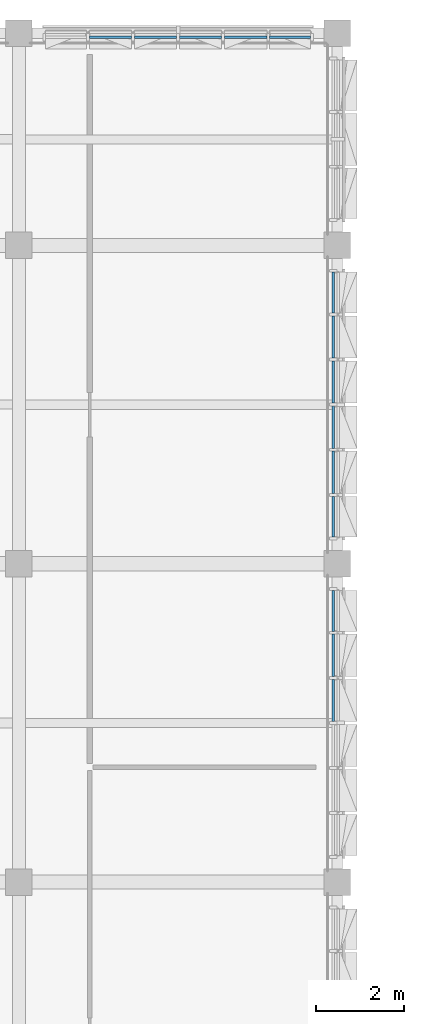
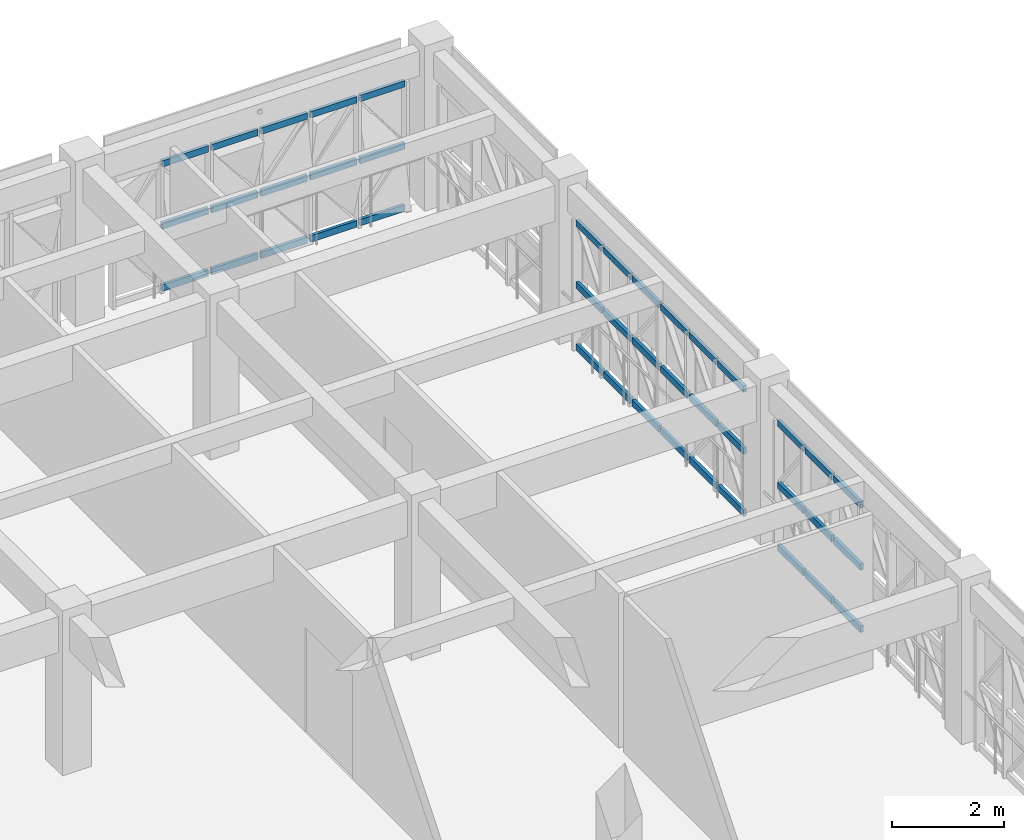
# One storey, part 31 of 99: 42 members, 3 elements without a shape of their own.
"""IFC4 building model written with IfcOpenShell, lengths in metres."""

import ifcopenshell
import ifcopenshell.guid

model = None  # the IFC model being written
_history = None  # IfcOwnerHistory: only IFC2X3 demands one
_inside = {}  # id of a spatial element -> (the spatial element, [elements in it])
_under = {}  # id of a project, library or spatial element -> (it, [spatial elements below it])
_declared = {}  # id of a project -> (the project, [libraries it declares])
_typed = {}  # id of a type object -> (the type object, [elements of that type])
_made_of = {}  # id of a material, layer set ... -> (it, [elements and type objects made of it])


def new_model(schema):
    """Start an empty IFC model of exactly this schema.

    Asked for "IFC4X3", IfcOpenShell would pick the latest addendum, in which some entities
    have other attributes; the version numbers below select the first issue.
    IFC2X3 requires an IfcOwnerHistory on every rooted entity: one is made here for all.
    """
    global model, _history
    if schema == "IFC4X3":
        model = ifcopenshell.file(schema_version=(4, 3, 0, 0))
    else:
        model = ifcopenshell.file(schema=schema)
    _inside.clear()
    _under.clear()
    _declared.clear()
    _typed.clear()
    _made_of.clear()
    _history = None
    if model.schema == "IFC2X3":
        org = make("IfcOrganization", Name="unknown")
        user = make(
            "IfcPersonAndOrganization",
            ThePerson=make("IfcPerson", FamilyName="unknown"),
            TheOrganization=org,
        )
        app = make(
            "IfcApplication",
            ApplicationDeveloper=org,
            Version="unknown",
            ApplicationFullName="unknown",
            ApplicationIdentifier="unknown",
        )
        _history = make(
            "IfcOwnerHistory",
            OwningUser=user,
            OwningApplication=app,
            ChangeAction="ADDED",
            CreationDate=0,
        )
    return model


def make(cls, **values):
    """One entity of the class cls with the attributes given. An attribute that is None is left unset."""
    return model.create_entity(
        cls, **{name: value for name, value in values.items() if value is not None}
    )


def rooted(cls, **values):
    """An entity with a GlobalId (a new one), such as an element, a storey or a relation."""
    return make(cls, GlobalId=ifcopenshell.guid.new(), OwnerHistory=_history, **values)


def si_unit(unit_type, name, prefix=None):
    """IfcSIUnit, for example si_unit("LENGTHUNIT", "METRE", prefix="MILLI")."""
    return make("IfcSIUnit", UnitType=unit_type, Prefix=prefix, Name=name)


def assignment(units):
    """IfcUnitAssignment: the units of a project."""
    return None if units is None else make("IfcUnitAssignment", Units=units)


def point(xyz):
    """IfcCartesianPoint."""
    return None if xyz is None else make("IfcCartesianPoint", Coordinates=xyz)


def direction(xyz):
    """IfcDirection."""
    return None if xyz is None else make("IfcDirection", DirectionRatios=xyz)


def frame(location, z_axis=None, x_axis=None):
    """IfcAxis2Placement3D, a coordinate frame: its origin and axes. An axis left out is left unset."""
    return make(
        "IfcAxis2Placement3D",
        Location=point(location),
        Axis=direction(z_axis),
        RefDirection=direction(x_axis),
    )


def frame_2d(location, x_axis=None):
    """IfcAxis2Placement2D, a coordinate frame in the plane: its origin and x axis."""
    return make(
        "IfcAxis2Placement2D", Location=point(location), RefDirection=direction(x_axis)
    )


def origin():
    """The frame at (0, 0, 0) with its axes left unset."""
    return frame((0.0, 0.0, 0.0))


def origin_2d():
    """The frame at (0, 0) in the plane with its x axis left unset."""
    return frame_2d((0.0, 0.0))


def place(relative_to, where):
    """IfcLocalPlacement: puts the frame where relative to a parent placement (None: the world)."""
    return make(
        "IfcLocalPlacement", PlacementRelTo=relative_to, RelativePlacement=where
    )


def context(
    kind, dimensions, precision=None, world=None, true_north=None, identifier=None
):
    """IfcGeometricRepresentationContext, for example the 3D "Model" context."""
    return make(
        "IfcGeometricRepresentationContext",
        ContextIdentifier=identifier,
        ContextType=kind,
        CoordinateSpaceDimension=dimensions,
        Precision=precision,
        WorldCoordinateSystem=world,
        TrueNorth=true_north,
    )


def subcontext(parent, identifier, kind, view, scale=None):
    """IfcGeometricRepresentationSubContext, for example "Body" below "Model"."""
    return make(
        "IfcGeometricRepresentationSubContext",
        ContextIdentifier=identifier,
        ContextType=kind,
        ParentContext=parent,
        TargetScale=scale,
        TargetView=view,
    )


def project(units=None, contexts=None):
    """IfcProject with its units and contexts."""
    return rooted(
        "IfcProject",
        Name="project",
        RepresentationContexts=contexts,
        UnitsInContext=assignment(units),
    )


def spatial(cls, under=None, at=None, **own):
    """A site, building, storey or space (cls), placed at a placement, below another one or the project."""
    s = rooted(cls, ObjectPlacement=at, **own)
    if under is not None:
        _under.setdefault(under.id(), (under, []))[1].append(s)
    return s


def profile(cls, at=None, kind="AREA", **sizes):
    """A parametric profile (cls). Its sizes go by their IFC names, for example OverallWidth=200.0."""
    return make(cls, ProfileType=kind, Position=at, **sizes)


def rectangle(**sizes):
    """IfcRectangleProfileDef."""
    return profile("IfcRectangleProfileDef", **sizes)


def extrude(swept, where, along, depth):
    """IfcExtrudedAreaSolid: the profile swept, set in the frame where, extruded along a direction by depth."""
    return make(
        "IfcExtrudedAreaSolid",
        SweptArea=swept,
        Position=where,
        ExtrudedDirection=direction(along),
        Depth=depth,
    )


def shape(context_of_items, identifier, shape_type, items):
    """IfcShapeRepresentation: the items that make up one representation, for example the "Body"."""
    return make(
        "IfcShapeRepresentation",
        ContextOfItems=context_of_items,
        RepresentationIdentifier=identifier,
        RepresentationType=shape_type,
        Items=items,
    )


def material(Name=None, Category=None):
    """IfcMaterial."""
    return make("IfcMaterial", Name=Name, Category=Category)


def material_profile(
    of_material, cross_section, Name=None, Category=None, Priority=None
):
    """IfcMaterialProfile: a cross section and its material."""
    return make(
        "IfcMaterialProfile",
        Name=Name,
        Material=of_material,
        Profile=cross_section,
        Priority=Priority,
        Category=Category,
    )


def profile_set(profiles, Name=None, composite=None):
    """IfcMaterialProfileSet."""
    return make(
        "IfcMaterialProfileSet",
        Name=Name,
        MaterialProfiles=profiles,
        CompositeProfile=composite,
    )


def made_of(thing, what):
    """Note that an element or type object is made of a material, layer set ...; save() writes the relation."""
    if what is not None:
        _made_of.setdefault(what.id(), (what, []))[1].append(thing)
    return thing


def type_object(cls, material=None, **own):
    """A type object (cls), such as IfcWallType, which elements share."""
    return made_of(rooted(cls, **own), material)


def element(
    cls,
    number,
    at=None,
    inside=None,
    cuts=None,
    type_object=None,
    material=None,
    context=None,
    identifier="Body",
    shape_type=None,
    held_by="IfcProductDefinitionShape",
    body=None,
    shapes=None,
    **own,
):
    """One element of the class cls, such as IfcWall. Its Tag is "e" and its number.

    at: its placement. inside: the storey or other place that contains it. cuts: it is an
    opening in that element (IfcRelVoidsElement). A single representation is given by context,
    identifier, shape_type and body (its items); several are given by shapes. held_by: the class
    of the entity that holds the representations. save() writes the other relations.
    """
    e = rooted(cls, Tag="e%d" % number, ObjectPlacement=at, **own)
    if body is not None:
        shapes = [shape(context, identifier, shape_type, body)]
    if shapes is not None:
        e.Representation = make(held_by, Representations=shapes)
    if inside is not None:
        _inside.setdefault(inside.id(), (inside, []))[1].append(e)
    if cuts is not None:
        rooted(
            "IfcRelVoidsElement", RelatingBuildingElement=cuts, RelatedOpeningElement=e
        )
    if type_object is not None:
        _typed.setdefault(type_object.id(), (type_object, []))[1].append(e)
    return made_of(e, material)


def aggregate(whole, parts):
    """IfcRelAggregates: a whole, such as a stair, and the parts it consists of."""
    return rooted("IfcRelAggregates", RelatingObject=whole, RelatedObjects=parts)


def save(model, path):
    """Write the relations noted so far, then the file.

    IfcRelAggregates (storeys below a building ...), IfcRelContainedInSpatialStructure (elements
    in a storey), IfcRelDefinesByType, IfcRelAssociatesMaterial and IfcRelDeclares: one each for
    every whole, place, type object, material and project.
    """
    for whole, parts in _under.values():
        aggregate(whole, parts)
    for where, things in _inside.values():
        rooted(
            "IfcRelContainedInSpatialStructure",
            RelatedElements=things,
            RelatingStructure=where,
        )
    for kind, things in _typed.values():
        rooted("IfcRelDefinesByType", RelatedObjects=things, RelatingType=kind)
    for what, things in _made_of.values():
        rooted("IfcRelAssociatesMaterial", RelatedObjects=things, RelatingMaterial=what)
    for by, libraries in _declared.values():
        rooted("IfcRelDeclares", RelatingContext=by, RelatedDefinitions=libraries)
    model.write(path)


model = new_model("IFC4")

# Units and contexts
model_context = context("Model", 3, precision=1e-05, world=origin(), true_north=direction((0.0, 1.0)))
body_context = subcontext(model_context, "Body", "Model", "MODEL_VIEW")
ifc_project = project(units=[si_unit("LENGTHUNIT", "METRE"), si_unit("AREAUNIT", "SQUARE_METRE"), si_unit("VOLUMEUNIT", "CUBIC_METRE"), si_unit("PLANEANGLEUNIT", "RADIAN"), si_unit("MASSUNIT", "GRAM", prefix="KILO")], contexts=[model_context])

# Site, building, storey
site_placement = place(None, origin())
site = spatial("IfcSite", under=ifc_project, at=site_placement, CompositionType="ELEMENT")
building_placement = place(site_placement, origin())
building = spatial("IfcBuilding", under=site, at=building_placement, Name="Alvorim Cloister Faculty of Sciences", CompositionType="ELEMENT")
storey_placement = place(building_placement, frame((0.0, 0.0, 12.14990234375)))
storey = spatial("IfcBuildingStorey", under=building, at=storey_placement, Name="L03", CompositionType="ELEMENT", Elevation=12.14990234375)

# Curtain wall, members
ifc_material_1 = material(Name="Aluminium and Low-E Glass Curtain Wall", Category="aluminium")
curtain_wall_type = type_object("IfcCurtainWallType", Name="CW-TRI-6120x2850", PredefinedType="USERDEFINED", material=ifc_material_1)
curtain_wall_1_placement = place(storey_placement, origin())
curtain_wall_1 = element("IfcCurtainWall", 1, at=curtain_wall_1_placement, inside=storey, type_object=curtain_wall_type, Name="L03 Diagonal Cassette Curtain Wall CW-0116", ObjectType="UNITISED CURTAIN WALL", PredefinedType="USERDEFINED")
ifc_material_2 = material(Name="Aluminium Alloy 6063-T6", Category="aluminium")
ifc_material_profile = material_profile(ifc_material_2, rectangle(XDim=0.06494140625, YDim=0.139892578125, at=origin_2d()), Name="ALU-TRN-65x140")
ifc_profile_set = profile_set([ifc_material_profile], Name="Aluminium Alloy 6063-T6")
member_type = type_object("IfcMemberType", Name="CW-TRN-65x140", PredefinedType="USERDEFINED", material=ifc_profile_set)
member_1_placement = place(storey_placement, frame((15.992431640625, 111.510009765625, 0.070068359375), z_axis=(1.0, 0.0, 0.0), x_axis=(0.0, 1.0, 0.0)))
member_1 = element("IfcMember", 2, at=member_1_placement, type_object=member_type, Name="CW-0116 Transom 2.1", ObjectType="TRANSOM", PredefinedType="USERDEFINED", context=body_context, shape_type="SweptSolid", body=[
    extrude(rectangle(XDim=0.06494140625, YDim=0.139892578125, at=origin_2d()), origin(), (0.0, 0.0, 1.0), 0.955078125),
])
member_2_placement = place(storey_placement, frame((15.992431640625, 111.510009765625, 1.425048828125), z_axis=(1.0, 0.0, 0.0), x_axis=(0.0, 1.0, 0.0)))
member_2 = element("IfcMember", 3, at=member_2_placement, type_object=member_type, Name="CW-0116 Transom 2.2", ObjectType="TRANSOM", PredefinedType="USERDEFINED", context=body_context, shape_type="SweptSolid", body=[
    extrude(rectangle(XDim=0.06494140625, YDim=0.139892578125, at=origin_2d()), origin(), (0.0, 0.0, 1.0), 0.955078125),
])
member_3_placement = place(storey_placement, frame((15.992431640625, 111.510009765625, 2.780029296875), z_axis=(1.0, 0.0, 0.0), x_axis=(0.0, 1.0, 0.0)))
member_3 = element("IfcMember", 4, at=member_3_placement, type_object=member_type, Name="CW-0116 Transom 2.3", ObjectType="TRANSOM", PredefinedType="USERDEFINED", context=body_context, shape_type="SweptSolid", body=[
    extrude(rectangle(XDim=0.06494140625, YDim=0.139892578125, at=origin_2d()), origin(), (0.0, 0.0, 1.0), 0.955078125),
])
member_4_placement = place(storey_placement, frame((17.012451171875, 111.510009765625, 0.070068359375), z_axis=(1.0, 0.0, 0.0), x_axis=(0.0, 1.0, 0.0)))
member_4 = element("IfcMember", 5, at=member_4_placement, type_object=member_type, Name="CW-0116 Transom 3.1", ObjectType="TRANSOM", PredefinedType="USERDEFINED", context=body_context, shape_type="SweptSolid", body=[
    extrude(rectangle(XDim=0.06494140625, YDim=0.139892578125, at=origin_2d()), origin(), (0.0, 0.0, 1.0), 0.955078125),
])
member_5_placement = place(storey_placement, frame((17.012451171875, 111.510009765625, 1.425048828125), z_axis=(1.0, 0.0, 0.0), x_axis=(0.0, 1.0, 0.0)))
member_5 = element("IfcMember", 6, at=member_5_placement, type_object=member_type, Name="CW-0116 Transom 3.2", ObjectType="TRANSOM", PredefinedType="USERDEFINED", context=body_context, shape_type="SweptSolid", body=[
    extrude(rectangle(XDim=0.06494140625, YDim=0.139892578125, at=origin_2d()), origin(), (0.0, 0.0, 1.0), 0.955078125),
])
member_6_placement = place(storey_placement, frame((17.012451171875, 111.510009765625, 2.780029296875), z_axis=(1.0, 0.0, 0.0), x_axis=(0.0, 1.0, 0.0)))
member_6 = element("IfcMember", 7, at=member_6_placement, type_object=member_type, Name="CW-0116 Transom 3.3", ObjectType="TRANSOM", PredefinedType="USERDEFINED", context=body_context, shape_type="SweptSolid", body=[
    extrude(rectangle(XDim=0.06494140625, YDim=0.139892578125, at=origin_2d()), origin(), (0.0, 0.0, 1.0), 0.955078125),
])
member_7_placement = place(storey_placement, frame((18.032470703125, 111.510009765625, 0.070068359375), z_axis=(1.0, 0.0, 0.0), x_axis=(0.0, 1.0, 0.0)))
member_7 = element("IfcMember", 8, at=member_7_placement, type_object=member_type, Name="CW-0116 Transom 4.1", ObjectType="TRANSOM", PredefinedType="USERDEFINED", context=body_context, shape_type="SweptSolid", body=[
    extrude(rectangle(XDim=0.06494140625, YDim=0.139892578125, at=origin_2d()), origin(), (0.0, 0.0, 1.0), 0.955078125),
])
member_8_placement = place(storey_placement, frame((18.032470703125, 111.510009765625, 1.425048828125), z_axis=(1.0, 0.0, 0.0), x_axis=(0.0, 1.0, 0.0)))
member_8 = element("IfcMember", 9, at=member_8_placement, type_object=member_type, Name="CW-0116 Transom 4.2", ObjectType="TRANSOM", PredefinedType="USERDEFINED", context=body_context, shape_type="SweptSolid", body=[
    extrude(rectangle(XDim=0.06494140625, YDim=0.139892578125, at=origin_2d()), origin(), (0.0, 0.0, 1.0), 0.955078125),
])
member_9_placement = place(storey_placement, frame((18.032470703125, 111.510009765625, 2.780029296875), z_axis=(1.0, 0.0, 0.0), x_axis=(0.0, 1.0, 0.0)))
member_9 = element("IfcMember", 10, at=member_9_placement, type_object=member_type, Name="CW-0116 Transom 4.3", ObjectType="TRANSOM", PredefinedType="USERDEFINED", context=body_context, shape_type="SweptSolid", body=[
    extrude(rectangle(XDim=0.06494140625, YDim=0.139892578125, at=origin_2d()), origin(), (0.0, 0.0, 1.0), 0.955078125),
])
member_10_placement = place(storey_placement, frame((19.052490234375, 111.510009765625, 0.070068359375), z_axis=(1.0, 0.0, 0.0), x_axis=(0.0, 1.0, 0.0)))
member_10 = element("IfcMember", 11, at=member_10_placement, type_object=member_type, Name="CW-0116 Transom 5.1", ObjectType="TRANSOM", PredefinedType="USERDEFINED", context=body_context, shape_type="SweptSolid", body=[
    extrude(rectangle(XDim=0.06494140625, YDim=0.139892578125, at=origin_2d()), origin(), (0.0, 0.0, 1.0), 0.955078125),
])
member_11_placement = place(storey_placement, frame((19.052490234375, 111.510009765625, 1.425048828125), z_axis=(1.0, 0.0, 0.0), x_axis=(0.0, 1.0, 0.0)))
member_11 = element("IfcMember", 12, at=member_11_placement, type_object=member_type, Name="CW-0116 Transom 5.2", ObjectType="TRANSOM", PredefinedType="USERDEFINED", context=body_context, shape_type="SweptSolid", body=[
    extrude(rectangle(XDim=0.06494140625, YDim=0.139892578125, at=origin_2d()), origin(), (0.0, 0.0, 1.0), 0.955078125),
])
member_12_placement = place(storey_placement, frame((19.052490234375, 111.510009765625, 2.780029296875), z_axis=(1.0, 0.0, 0.0), x_axis=(0.0, 1.0, 0.0)))
member_12 = element("IfcMember", 13, at=member_12_placement, type_object=member_type, Name="CW-0116 Transom 5.3", ObjectType="TRANSOM", PredefinedType="USERDEFINED", context=body_context, shape_type="SweptSolid", body=[
    extrude(rectangle(XDim=0.06494140625, YDim=0.139892578125, at=origin_2d()), origin(), (0.0, 0.0, 1.0), 0.955078125),
])
member_13_placement = place(storey_placement, frame((20.072509765625, 111.510009765625, 0.070068359375), z_axis=(1.0, 0.0, 0.0), x_axis=(0.0, 1.0, 0.0)))
member_13 = element("IfcMember", 14, at=member_13_placement, type_object=member_type, Name="CW-0116 Transom 6.1", ObjectType="TRANSOM", PredefinedType="USERDEFINED", context=body_context, shape_type="SweptSolid", body=[
    extrude(rectangle(XDim=0.06494140625, YDim=0.139892578125, at=origin_2d()), origin(), (0.0, 0.0, 1.0), 0.922607421875),
])
member_14_placement = place(storey_placement, frame((20.072509765625, 111.510009765625, 1.425048828125), z_axis=(1.0, 0.0, 0.0), x_axis=(0.0, 1.0, 0.0)))
member_14 = element("IfcMember", 15, at=member_14_placement, type_object=member_type, Name="CW-0116 Transom 6.2", ObjectType="TRANSOM", PredefinedType="USERDEFINED", context=body_context, shape_type="SweptSolid", body=[
    extrude(rectangle(XDim=0.06494140625, YDim=0.139892578125, at=origin_2d()), origin(), (0.0, 0.0, 1.0), 0.922607421875),
])
member_15_placement = place(storey_placement, frame((20.072509765625, 111.510009765625, 2.780029296875), z_axis=(1.0, 0.0, 0.0), x_axis=(0.0, 1.0, 0.0)))
member_15 = element("IfcMember", 16, at=member_15_placement, type_object=member_type, Name="CW-0116 Transom 6.3", ObjectType="TRANSOM", PredefinedType="USERDEFINED", context=body_context, shape_type="SweptSolid", body=[
    extrude(rectangle(XDim=0.06494140625, YDim=0.139892578125, at=origin_2d()), origin(), (0.0, 0.0, 1.0), 0.922607421875),
])
aggregate(curtain_wall_1, [member_1, member_2, member_3, member_4, member_5, member_6, member_7, member_8, member_9, member_10, member_11, member_12, member_13, member_14, member_15])

curtain_wall_2_placement = place(storey_placement, origin())
curtain_wall_2 = element("IfcCurtainWall", 17, at=curtain_wall_2_placement, inside=storey, type_object=curtain_wall_type, Name="L03 Diagonal Cassette Curtain Wall CW-0118", ObjectType="UNITISED CURTAIN WALL", PredefinedType="USERDEFINED")
member_16_placement = place(storey_placement, frame((21.510009765625, 100.205078125, 0.070068359375), z_axis=(0.0, 1.0, 0.0), x_axis=(-1.0, 0.0, 0.0)))
member_16 = element("IfcMember", 18, at=member_16_placement, type_object=member_type, Name="CW-0118 Transom 1.1", ObjectType="TRANSOM", PredefinedType="USERDEFINED", context=body_context, shape_type="SweptSolid", body=[
    extrude(rectangle(XDim=0.06494140625, YDim=0.139892578125, at=origin_2d()), origin(), (0.0, 0.0, 1.0), 0.92236328125),
])
member_17_placement = place(storey_placement, frame((21.510009765625, 100.205078125, 1.425048828125), z_axis=(0.0, 1.0, 0.0), x_axis=(-1.0, 0.0, 0.0)))
member_17 = element("IfcMember", 19, at=member_17_placement, type_object=member_type, Name="CW-0118 Transom 1.2", ObjectType="TRANSOM", PredefinedType="USERDEFINED", context=body_context, shape_type="SweptSolid", body=[
    extrude(rectangle(XDim=0.06494140625, YDim=0.139892578125, at=origin_2d()), origin(), (0.0, 0.0, 1.0), 0.92236328125),
])
member_18_placement = place(storey_placement, frame((21.510009765625, 100.205078125, 2.780029296875), z_axis=(0.0, 1.0, 0.0), x_axis=(-1.0, 0.0, 0.0)))
member_18 = element("IfcMember", 20, at=member_18_placement, type_object=member_type, Name="CW-0118 Transom 1.3", ObjectType="TRANSOM", PredefinedType="USERDEFINED", context=body_context, shape_type="SweptSolid", body=[
    extrude(rectangle(XDim=0.06494140625, YDim=0.139892578125, at=origin_2d()), origin(), (0.0, 0.0, 1.0), 0.92236328125),
])
member_19_placement = place(storey_placement, frame((21.510009765625, 101.1923828125, 0.070068359375), z_axis=(0.0, 1.0, 0.0), x_axis=(-1.0, 0.0, 0.0)))
member_19 = element("IfcMember", 21, at=member_19_placement, type_object=member_type, Name="CW-0118 Transom 2.1", ObjectType="TRANSOM", PredefinedType="USERDEFINED", context=body_context, shape_type="SweptSolid", body=[
    extrude(rectangle(XDim=0.06494140625, YDim=0.139892578125, at=origin_2d()), origin(), (0.0, 0.0, 1.0), 0.955078125),
])
member_20_placement = place(storey_placement, frame((21.510009765625, 101.1923828125, 1.425048828125), z_axis=(0.0, 1.0, 0.0), x_axis=(-1.0, 0.0, 0.0)))
member_20 = element("IfcMember", 22, at=member_20_placement, type_object=member_type, Name="CW-0118 Transom 2.2", ObjectType="TRANSOM", PredefinedType="USERDEFINED", context=body_context, shape_type="SweptSolid", body=[
    extrude(rectangle(XDim=0.06494140625, YDim=0.139892578125, at=origin_2d()), origin(), (0.0, 0.0, 1.0), 0.955078125),
])
member_21_placement = place(storey_placement, frame((21.510009765625, 101.1923828125, 2.780029296875), z_axis=(0.0, 1.0, 0.0), x_axis=(-1.0, 0.0, 0.0)))
member_21 = element("IfcMember", 23, at=member_21_placement, type_object=member_type, Name="CW-0118 Transom 2.3", ObjectType="TRANSOM", PredefinedType="USERDEFINED", context=body_context, shape_type="SweptSolid", body=[
    extrude(rectangle(XDim=0.06494140625, YDim=0.139892578125, at=origin_2d()), origin(), (0.0, 0.0, 1.0), 0.955078125),
])
member_22_placement = place(storey_placement, frame((21.510009765625, 102.21240234375, 0.070068359375), z_axis=(0.0, 1.0, 0.0), x_axis=(-1.0, 0.0, 0.0)))
member_22 = element("IfcMember", 24, at=member_22_placement, type_object=member_type, Name="CW-0118 Transom 3.1", ObjectType="TRANSOM", PredefinedType="USERDEFINED", context=body_context, shape_type="SweptSolid", body=[
    extrude(rectangle(XDim=0.06494140625, YDim=0.139892578125, at=origin_2d()), origin(), (0.0, 0.0, 1.0), 0.955078125),
])
member_23_placement = place(storey_placement, frame((21.510009765625, 102.21240234375, 1.425048828125), z_axis=(0.0, 1.0, 0.0), x_axis=(-1.0, 0.0, 0.0)))
member_23 = element("IfcMember", 25, at=member_23_placement, type_object=member_type, Name="CW-0118 Transom 3.2", ObjectType="TRANSOM", PredefinedType="USERDEFINED", context=body_context, shape_type="SweptSolid", body=[
    extrude(rectangle(XDim=0.06494140625, YDim=0.139892578125, at=origin_2d()), origin(), (0.0, 0.0, 1.0), 0.955078125),
])
member_24_placement = place(storey_placement, frame((21.510009765625, 102.21240234375, 2.780029296875), z_axis=(0.0, 1.0, 0.0), x_axis=(-1.0, 0.0, 0.0)))
member_24 = element("IfcMember", 26, at=member_24_placement, type_object=member_type, Name="CW-0118 Transom 3.3", ObjectType="TRANSOM", PredefinedType="USERDEFINED", context=body_context, shape_type="SweptSolid", body=[
    extrude(rectangle(XDim=0.06494140625, YDim=0.139892578125, at=origin_2d()), origin(), (0.0, 0.0, 1.0), 0.955078125),
])
member_25_placement = place(storey_placement, frame((21.510009765625, 103.232421875, 0.070068359375), z_axis=(0.0, 1.0, 0.0), x_axis=(-1.0, 0.0, 0.0)))
member_25 = element("IfcMember", 27, at=member_25_placement, type_object=member_type, Name="CW-0118 Transom 4.1", ObjectType="TRANSOM", PredefinedType="USERDEFINED", context=body_context, shape_type="SweptSolid", body=[
    extrude(rectangle(XDim=0.06494140625, YDim=0.139892578125, at=origin_2d()), origin(), (0.0, 0.0, 1.0), 0.955078125),
])
member_26_placement = place(storey_placement, frame((21.510009765625, 103.232421875, 1.425048828125), z_axis=(0.0, 1.0, 0.0), x_axis=(-1.0, 0.0, 0.0)))
member_26 = element("IfcMember", 28, at=member_26_placement, type_object=member_type, Name="CW-0118 Transom 4.2", ObjectType="TRANSOM", PredefinedType="USERDEFINED", context=body_context, shape_type="SweptSolid", body=[
    extrude(rectangle(XDim=0.06494140625, YDim=0.139892578125, at=origin_2d()), origin(), (0.0, 0.0, 1.0), 0.955078125),
])
member_27_placement = place(storey_placement, frame((21.510009765625, 103.232421875, 2.780029296875), z_axis=(0.0, 1.0, 0.0), x_axis=(-1.0, 0.0, 0.0)))
member_27 = element("IfcMember", 29, at=member_27_placement, type_object=member_type, Name="CW-0118 Transom 4.3", ObjectType="TRANSOM", PredefinedType="USERDEFINED", context=body_context, shape_type="SweptSolid", body=[
    extrude(rectangle(XDim=0.06494140625, YDim=0.139892578125, at=origin_2d()), origin(), (0.0, 0.0, 1.0), 0.955078125),
])
member_28_placement = place(storey_placement, frame((21.510009765625, 104.25244140625, 0.070068359375), z_axis=(0.0, 1.0, 0.0), x_axis=(-1.0, 0.0, 0.0)))
member_28 = element("IfcMember", 30, at=member_28_placement, type_object=member_type, Name="CW-0118 Transom 5.1", ObjectType="TRANSOM", PredefinedType="USERDEFINED", context=body_context, shape_type="SweptSolid", body=[
    extrude(rectangle(XDim=0.06494140625, YDim=0.139892578125, at=origin_2d()), origin(), (0.0, 0.0, 1.0), 0.955078125),
])
member_29_placement = place(storey_placement, frame((21.510009765625, 104.25244140625, 1.425048828125), z_axis=(0.0, 1.0, 0.0), x_axis=(-1.0, 0.0, 0.0)))
member_29 = element("IfcMember", 31, at=member_29_placement, type_object=member_type, Name="CW-0118 Transom 5.2", ObjectType="TRANSOM", PredefinedType="USERDEFINED", context=body_context, shape_type="SweptSolid", body=[
    extrude(rectangle(XDim=0.06494140625, YDim=0.139892578125, at=origin_2d()), origin(), (0.0, 0.0, 1.0), 0.955078125),
])
member_30_placement = place(storey_placement, frame((21.510009765625, 104.25244140625, 2.780029296875), z_axis=(0.0, 1.0, 0.0), x_axis=(-1.0, 0.0, 0.0)))
member_30 = element("IfcMember", 32, at=member_30_placement, type_object=member_type, Name="CW-0118 Transom 5.3", ObjectType="TRANSOM", PredefinedType="USERDEFINED", context=body_context, shape_type="SweptSolid", body=[
    extrude(rectangle(XDim=0.06494140625, YDim=0.139892578125, at=origin_2d()), origin(), (0.0, 0.0, 1.0), 0.955078125),
])
member_31_placement = place(storey_placement, frame((21.510009765625, 105.2724609375, 0.070068359375), z_axis=(0.0, 1.0, 0.0), x_axis=(-1.0, 0.0, 0.0)))
member_31 = element("IfcMember", 33, at=member_31_placement, type_object=member_type, Name="CW-0118 Transom 6.1", ObjectType="TRANSOM", PredefinedType="USERDEFINED", context=body_context, shape_type="SweptSolid", body=[
    extrude(rectangle(XDim=0.06494140625, YDim=0.139892578125, at=origin_2d()), origin(), (0.0, 0.0, 1.0), 0.922607421875),
])
member_32_placement = place(storey_placement, frame((21.510009765625, 105.2724609375, 1.425048828125), z_axis=(0.0, 1.0, 0.0), x_axis=(-1.0, 0.0, 0.0)))
member_32 = element("IfcMember", 34, at=member_32_placement, type_object=member_type, Name="CW-0118 Transom 6.2", ObjectType="TRANSOM", PredefinedType="USERDEFINED", context=body_context, shape_type="SweptSolid", body=[
    extrude(rectangle(XDim=0.06494140625, YDim=0.139892578125, at=origin_2d()), origin(), (0.0, 0.0, 1.0), 0.922607421875),
])
member_33_placement = place(storey_placement, frame((21.510009765625, 105.2724609375, 2.780029296875), z_axis=(0.0, 1.0, 0.0), x_axis=(-1.0, 0.0, 0.0)))
member_33 = element("IfcMember", 35, at=member_33_placement, type_object=member_type, Name="CW-0118 Transom 6.3", ObjectType="TRANSOM", PredefinedType="USERDEFINED", context=body_context, shape_type="SweptSolid", body=[
    extrude(rectangle(XDim=0.06494140625, YDim=0.139892578125, at=origin_2d()), origin(), (0.0, 0.0, 1.0), 0.922607421875),
])
aggregate(curtain_wall_2, [member_16, member_17, member_18, member_19, member_20, member_21, member_22, member_23, member_24, member_25, member_26, member_27, member_28, member_29, member_30, member_31, member_32, member_33])

curtain_wall_3_placement = place(storey_placement, origin())
curtain_wall_3 = element("IfcCurtainWall", 36, at=curtain_wall_3_placement, inside=storey, type_object=curtain_wall_type, Name="L03 Diagonal Cassette Curtain Wall CW-0119", ObjectType="UNITISED CURTAIN WALL", PredefinedType="USERDEFINED")
member_34_placement = place(storey_placement, frame((21.510009765625, 96.032470703125, 0.070068359375), z_axis=(0.0, 1.0, 0.0), x_axis=(-1.0, 0.0, 0.0)))
member_34 = element("IfcMember", 37, at=member_34_placement, type_object=member_type, Name="CW-0119 Transom 4.1", ObjectType="TRANSOM", PredefinedType="USERDEFINED", context=body_context, shape_type="SweptSolid", body=[
    extrude(rectangle(XDim=0.06494140625, YDim=0.139892578125, at=origin_2d()), origin(), (0.0, 0.0, 1.0), 0.955078125),
])
member_35_placement = place(storey_placement, frame((21.510009765625, 96.032470703125, 1.425048828125), z_axis=(0.0, 1.0, 0.0), x_axis=(-1.0, 0.0, 0.0)))
member_35 = element("IfcMember", 38, at=member_35_placement, type_object=member_type, Name="CW-0119 Transom 4.2", ObjectType="TRANSOM", PredefinedType="USERDEFINED", context=body_context, shape_type="SweptSolid", body=[
    extrude(rectangle(XDim=0.06494140625, YDim=0.139892578125, at=origin_2d()), origin(), (0.0, 0.0, 1.0), 0.955078125),
])
member_36_placement = place(storey_placement, frame((21.510009765625, 96.032470703125, 2.780029296875), z_axis=(0.0, 1.0, 0.0), x_axis=(-1.0, 0.0, 0.0)))
member_36 = element("IfcMember", 39, at=member_36_placement, type_object=member_type, Name="CW-0119 Transom 4.3", ObjectType="TRANSOM", PredefinedType="USERDEFINED", context=body_context, shape_type="SweptSolid", body=[
    extrude(rectangle(XDim=0.06494140625, YDim=0.139892578125, at=origin_2d()), origin(), (0.0, 0.0, 1.0), 0.955078125),
])
member_37_placement = place(storey_placement, frame((21.510009765625, 97.052490234375, 0.070068359375), z_axis=(0.0, 1.0, 0.0), x_axis=(-1.0, 0.0, 0.0)))
member_37 = element("IfcMember", 40, at=member_37_placement, type_object=member_type, Name="CW-0119 Transom 5.1", ObjectType="TRANSOM", PredefinedType="USERDEFINED", context=body_context, shape_type="SweptSolid", body=[
    extrude(rectangle(XDim=0.06494140625, YDim=0.139892578125, at=origin_2d()), origin(), (0.0, 0.0, 1.0), 0.955078125),
])
member_38_placement = place(storey_placement, frame((21.510009765625, 97.052490234375, 1.425048828125), z_axis=(0.0, 1.0, 0.0), x_axis=(-1.0, 0.0, 0.0)))
member_38 = element("IfcMember", 41, at=member_38_placement, type_object=member_type, Name="CW-0119 Transom 5.2", ObjectType="TRANSOM", PredefinedType="USERDEFINED", context=body_context, shape_type="SweptSolid", body=[
    extrude(rectangle(XDim=0.06494140625, YDim=0.139892578125, at=origin_2d()), origin(), (0.0, 0.0, 1.0), 0.955078125),
])
member_39_placement = place(storey_placement, frame((21.510009765625, 97.052490234375, 2.780029296875), z_axis=(0.0, 1.0, 0.0), x_axis=(-1.0, 0.0, 0.0)))
member_39 = element("IfcMember", 42, at=member_39_placement, type_object=member_type, Name="CW-0119 Transom 5.3", ObjectType="TRANSOM", PredefinedType="USERDEFINED", context=body_context, shape_type="SweptSolid", body=[
    extrude(rectangle(XDim=0.06494140625, YDim=0.139892578125, at=origin_2d()), origin(), (0.0, 0.0, 1.0), 0.955078125),
])
member_40_placement = place(storey_placement, frame((21.510009765625, 98.072509765625, 0.070068359375), z_axis=(0.0, 1.0, 0.0), x_axis=(-1.0, 0.0, 0.0)))
member_40 = element("IfcMember", 43, at=member_40_placement, type_object=member_type, Name="CW-0119 Transom 6.1", ObjectType="TRANSOM", PredefinedType="USERDEFINED", context=body_context, shape_type="SweptSolid", body=[
    extrude(rectangle(XDim=0.06494140625, YDim=0.139892578125, at=origin_2d()), origin(), (0.0, 0.0, 1.0), 0.922607421875),
])
member_41_placement = place(storey_placement, frame((21.510009765625, 98.072509765625, 1.425048828125), z_axis=(0.0, 1.0, 0.0), x_axis=(-1.0, 0.0, 0.0)))
member_41 = element("IfcMember", 44, at=member_41_placement, type_object=member_type, Name="CW-0119 Transom 6.2", ObjectType="TRANSOM", PredefinedType="USERDEFINED", context=body_context, shape_type="SweptSolid", body=[
    extrude(rectangle(XDim=0.06494140625, YDim=0.139892578125, at=origin_2d()), origin(), (0.0, 0.0, 1.0), 0.922607421875),
])
member_42_placement = place(storey_placement, frame((21.510009765625, 98.072509765625, 2.780029296875), z_axis=(0.0, 1.0, 0.0), x_axis=(-1.0, 0.0, 0.0)))
member_42 = element("IfcMember", 45, at=member_42_placement, type_object=member_type, Name="CW-0119 Transom 6.3", ObjectType="TRANSOM", PredefinedType="USERDEFINED", context=body_context, shape_type="SweptSolid", body=[
    extrude(rectangle(XDim=0.06494140625, YDim=0.139892578125, at=origin_2d()), origin(), (0.0, 0.0, 1.0), 0.922607421875),
])
aggregate(curtain_wall_3, [member_34, member_35, member_36, member_37, member_38, member_39, member_40, member_41, member_42])

save(model, "model.ifc")
